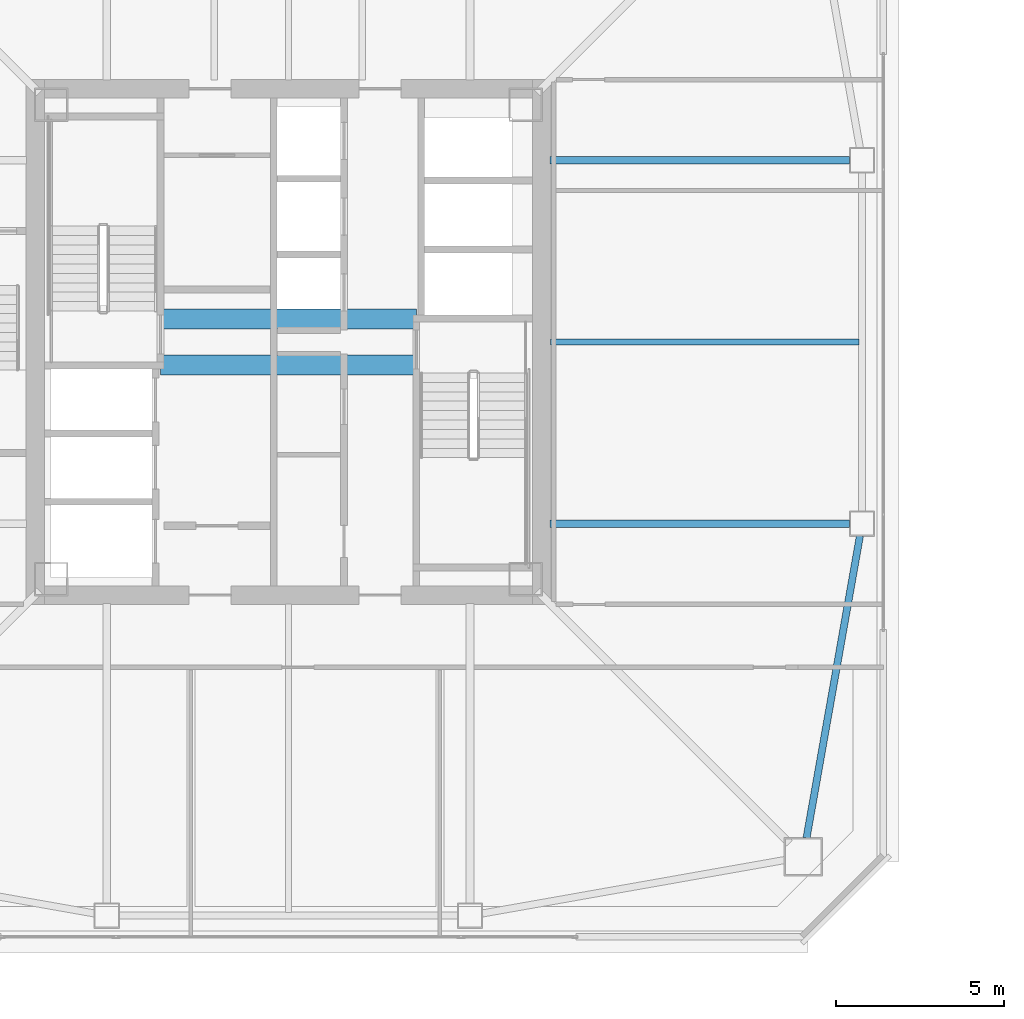
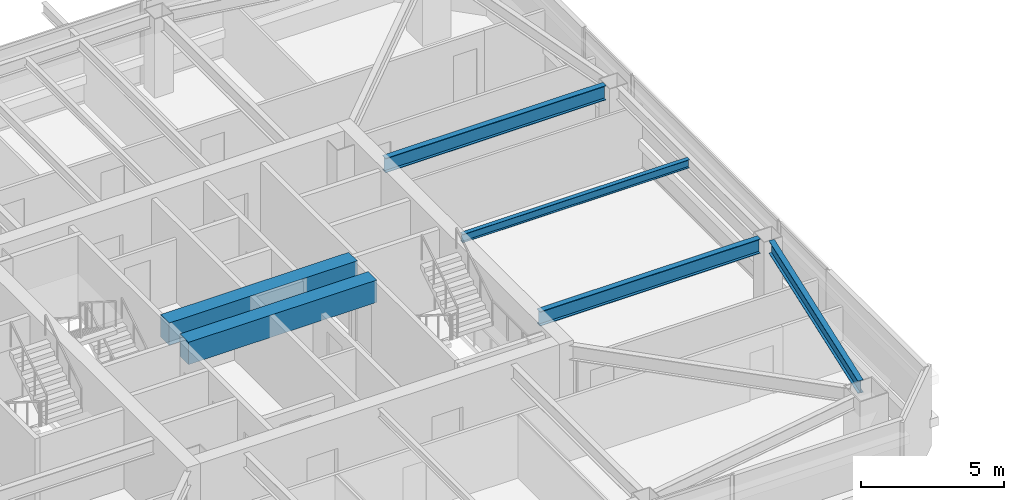
# One storey, part 9 of 42: 6 beams.
"""IFC4 building model written with IfcOpenShell, lengths in metres."""

from ifc_helpers import new_model, si_unit, direction, frame, origin, origin_2d, place, context, subcontext, project, spatial, rectangle, i_section, extrude, material, material_profile, profile_set, type_object, element, save


model = new_model("IFC4")

# Units and contexts
model_context = context("Model", 3, precision=1e-05, world=origin(), true_north=direction((0.0, 1.0)))
body_context = subcontext(model_context, "Body", "Model", "MODEL_VIEW")
ifc_project = project(units=[si_unit("LENGTHUNIT", "METRE"), si_unit("AREAUNIT", "SQUARE_METRE"), si_unit("VOLUMEUNIT", "CUBIC_METRE"), si_unit("PLANEANGLEUNIT", "RADIAN"), si_unit("MASSUNIT", "GRAM", prefix="KILO")], contexts=[model_context])

# Site, building, storey
site_placement = place(None, origin())
site = spatial("IfcSite", under=ifc_project, at=site_placement, CompositionType="ELEMENT")
building_placement = place(site_placement, origin())
building = spatial("IfcBuilding", under=site, at=building_placement, Name="Tashvorn Skyway Center", CompositionType="ELEMENT")
storey_placement = place(building_placement, frame((0.0, 0.0, 164.10009765625)))
storey = spatial("IfcBuildingStorey", under=building, at=storey_placement, Name="L44", CompositionType="ELEMENT", Elevation=164.10009765625)

# Beams
ifc_material_1 = material(Name="Steel ASTM A992 Grade 50", Category="steel")
ifc_material_profile_1 = material_profile(ifc_material_1, i_section(OverallWidth=0.22998046875, OverallDepth=0.616943359375, WebThickness=0.01318359375, FlangeThickness=0.022216796875, at=origin_2d()), Name="W24X94")
ifc_profile_set_1 = profile_set([ifc_material_profile_1], Name="Steel ASTM A992 Grade 50")
beam_type_1 = type_object("IfcBeamType", Name="BM-BEAM-W24X94", PredefinedType="BEAM", material=ifc_profile_set_1)
for number, where, z_axis, x_axis, name in (
    (1, (58.679931640625, 26.60009765625, 3.0615234375), (-1.0, 0.0, 0.0), (0.0, -1.0, 0.0), "Tower 1 L44 Primary Floor Girder FC-E1"),
    (2, (58.679931640625, 37.39990234375, 3.0615234375), (-1.0, 0.0, 0.0), (0.0, -1.0, 0.0), "Tower 1 L44 Primary Floor Girder FC-E2"),
):
    element("IfcBeam", number, at=place(storey_placement, frame(where, z_axis=z_axis, x_axis=x_axis)), inside=storey, type_object=beam_type_1, Name=name, PredefinedType="BEAM", context=body_context, shape_type="SweptSolid", body=[
        extrude(i_section(OverallWidth=0.22998046875, OverallDepth=0.616943359375, WebThickness=0.01318359375, FlangeThickness=0.022216796875, at=origin_2d()), origin(), (0.0, 0.0, 1.0), 8.89990234375),
    ])
ifc_material_profile_2 = material_profile(ifc_material_1, i_section(OverallWidth=0.1708984375, OverallDepth=0.35498046875, WebThickness=0.007080078125, FlangeThickness=0.01171875, at=origin_2d()), Name="W14X34")
ifc_profile_set_2 = profile_set([ifc_material_profile_2], Name="Steel ASTM A992 Grade 50")
beam_type_2 = type_object("IfcBeamType", Name="BM-JOIST-W14X34", PredefinedType="JOIST", material=ifc_profile_set_2)
beam_1_placement = place(storey_placement, frame((49.7900390625, 32.0, 3.1923828125), z_axis=(1.0, 0.0, 0.0), x_axis=(0.0, 1.0, 0.0)))
element("IfcBeam", 3, at=beam_1_placement, inside=storey, type_object=beam_type_2, Name="Tower 1 L44 Secondary Composite Joist JE", PredefinedType="JOIST", context=body_context, shape_type="SweptSolid", body=[
    extrude(i_section(OverallWidth=0.1708984375, OverallDepth=0.35498046875, WebThickness=0.007080078125, FlangeThickness=0.01171875, at=origin_2d()), origin(), (0.0, 0.0, 1.0), 9.162353515625),
])
ifc_material_2 = material(Name="Concrete C60/75", Category="concrete")
ifc_material_profile_3 = material_profile(ifc_material_2, rectangle(XDim=0.60009765625, YDim=0.949951171875, at=origin_2d()), Name="RCB600x950")
ifc_profile_set_3 = profile_set([ifc_material_profile_3], Name="Concrete C60/75")
beam_type_3 = type_object("IfcBeamType", Name="BM-LINTEL-RCB600x950", PredefinedType="LINTEL", material=ifc_profile_set_3)
for number, where, z_axis, x_axis, name in (
    (4, (38.199951171875, 32.679931640625, 2.89501953125), (1.0, 0.0, 0.0), (0.0, 1.0, 0.0), "Tower 1 L44 Core Coupling Beam CN"),
    (5, (38.199951171875, 31.320068359375, 2.89501953125), (1.0, 0.0, 0.0), (0.0, 1.0, 0.0), "Tower 1 L44 Core Coupling Beam CS"),
):
    element("IfcBeam", number, at=place(storey_placement, frame(where, z_axis=z_axis, x_axis=x_axis)), inside=storey, type_object=beam_type_3, Name=name, PredefinedType="LINTEL", context=body_context, shape_type="SweptSolid", body=[
        extrude(rectangle(XDim=0.60009765625, YDim=0.949951171875, at=origin_2d()), origin(), (0.0, 0.0, 1.0), 7.60009765625),
    ])
ifc_material_profile_4 = material_profile(ifc_material_1, i_section(OverallWidth=0.2109375, OverallDepth=0.5390625, WebThickness=0.01171875, FlangeThickness=0.018798828125, at=origin_2d()), Name="W21X73")
ifc_profile_set_4 = profile_set([ifc_material_profile_4], Name="Steel ASTM A992 Grade 50")
beam_type_4 = type_object("IfcBeamType", Name="BM-SPANDREL-W21X73", PredefinedType="SPANDREL", material=ifc_profile_set_4)
beam_2_placement = place(storey_placement, frame((57.399169921875, 17.26123046875, 3.100341796875), z_axis=(0.174074160933, 0.984732545667, 0.0), x_axis=(-0.984732545667, 0.174074160933, 0.0)))
element("IfcBeam", 6, at=beam_2_placement, inside=storey, type_object=beam_type_4, Name="Tower 1 L44 Spandrel Beam 04", PredefinedType="SPANDREL", context=body_context, shape_type="SweptSolid", body=[
    extrude(i_section(OverallWidth=0.2109375, OverallDepth=0.5390625, WebThickness=0.01171875, FlangeThickness=0.018798828125, at=origin_2d()), origin(), (0.0, 0.0, 1.0), 9.113525390625),
])

save(model, "model.ifc")
